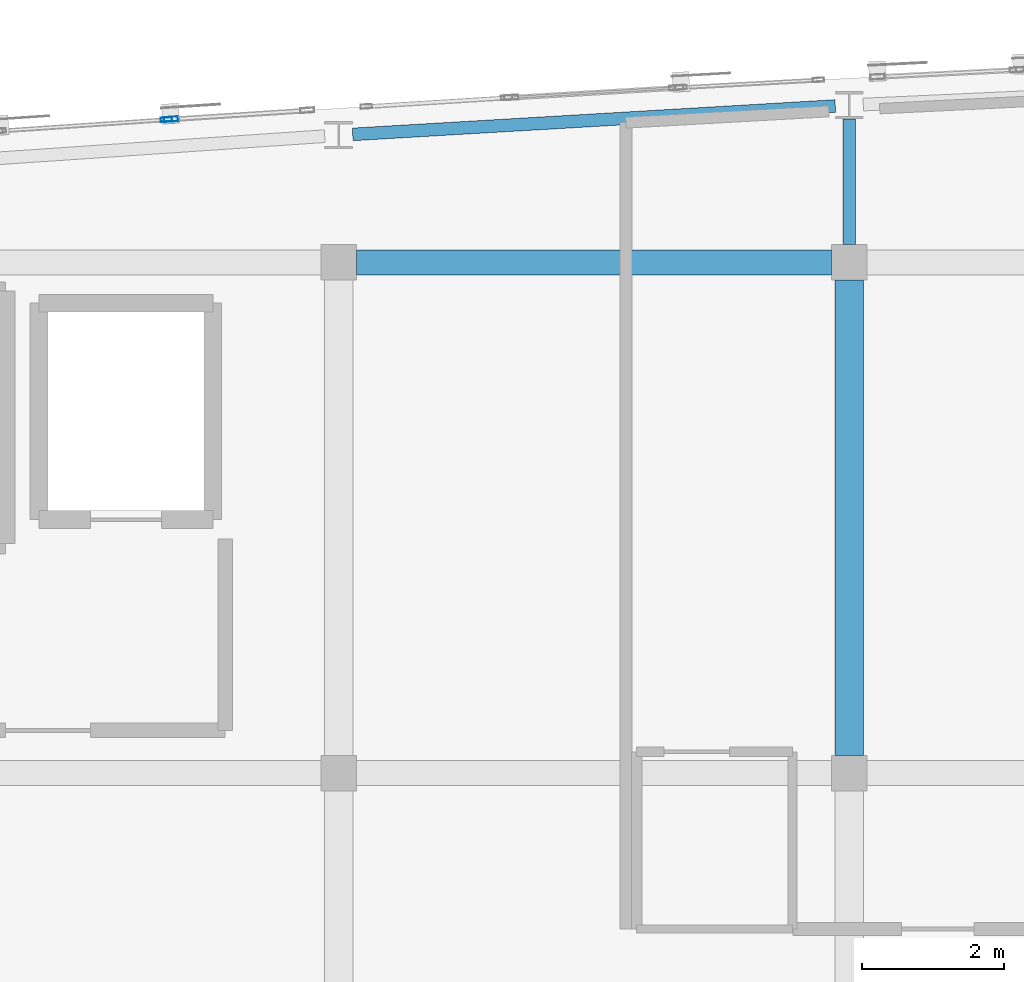
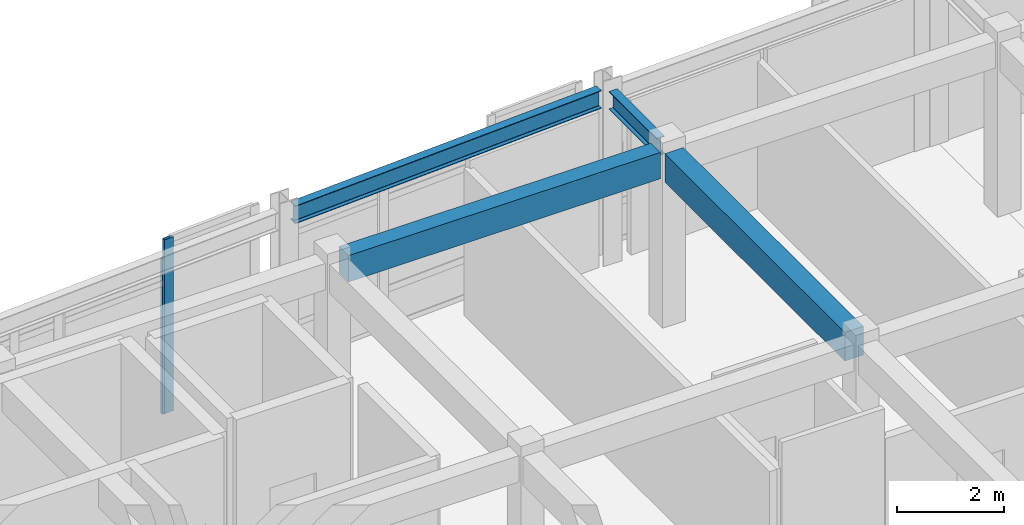
# One storey, part 7 of 24: 4 beams, 2 members, 2 elements without a shape of their own.
"""IFC4 building model written with IfcOpenShell, lengths in metres."""

from ifc_helpers import new_model, si_unit, direction, frame, origin, origin_2d, place, context, subcontext, project, spatial, rectangle, hollow_rectangle, i_section, extrude, material, layer, layer_set, material_profile, profile_set, type_object, element, aggregate, save


model = new_model("IFC4")

# Units and contexts
model_context = context("Model", 3, precision=1e-05, world=origin(), true_north=direction((0.0, 1.0)))
body_context = subcontext(model_context, "Body", "Model", "MODEL_VIEW")
ifc_project = project(units=[si_unit("LENGTHUNIT", "METRE"), si_unit("AREAUNIT", "SQUARE_METRE"), si_unit("VOLUMEUNIT", "CUBIC_METRE"), si_unit("PLANEANGLEUNIT", "RADIAN"), si_unit("MASSUNIT", "GRAM", prefix="KILO")], contexts=[model_context])

# Site, building, storey
site_placement = place(None, origin())
site = spatial("IfcSite", under=ifc_project, at=site_placement, CompositionType="ELEMENT")
building_placement = place(site_placement, origin())
building = spatial("IfcBuilding", under=site, at=building_placement, Name="Carrowvane Square Congress Hotel", CompositionType="ELEMENT")
storey_placement = place(building_placement, frame((0.0, 0.0, 44.39990234375)))
storey = spatial("IfcBuildingStorey", under=building, at=storey_placement, Name="L11", CompositionType="ELEMENT", Elevation=44.39990234375)

# Beams
ifc_material_1 = material(Name="Concrete C35/45", Category="concrete")
ifc_material_profile_1 = material_profile(ifc_material_1, rectangle(XDim=0.35009765625, YDim=0.60009765625, at=origin_2d()), Name="RC 350x600")
ifc_profile_set_1 = profile_set([ifc_material_profile_1], Name="Concrete C35/45")
beam_type_1 = type_object("IfcBeamType", Name="BM-RC-350x600", PredefinedType="BEAM", material=ifc_profile_set_1)
beam_1_placement = place(storey_placement, frame((69.449951171875, 113.39990234375, 3.650146484375), z_axis=(1.0, 0.0, 0.0), x_axis=(0.0, 1.0, 0.0)))
element("IfcBeam", 1, at=beam_1_placement, inside=storey, type_object=beam_type_1, Name="RF girder R/9-10", PredefinedType="BEAM", context=body_context, shape_type="SweptSolid", body=[
    extrude(rectangle(XDim=0.35009765625, YDim=0.60009765625, at=origin_2d()), origin(), (0.0, 0.0, 1.0), 6.699951171875),
])
ifc_material_2 = material(Name="Concrete C35/45", Category="concrete")
ifc_material_profile_2 = material_profile(ifc_material_2, rectangle(XDim=0.39990234375, YDim=0.64990234375, at=origin_2d()), Name="RC 400x650")
ifc_profile_set_2 = profile_set([ifc_material_profile_2], Name="Concrete C35/45")
beam_type_2 = type_object("IfcBeamType", Name="BM-RC-400x650", PredefinedType="BEAM", material=ifc_profile_set_2)
beam_2_placement = place(storey_placement, frame((76.39990234375, 106.449951171875, 3.625), z_axis=(0.0, 1.0, 0.0), x_axis=(-1.0, 0.0, 0.0)))
element("IfcBeam", 2, at=beam_2_placement, inside=storey, type_object=beam_type_2, Name="RF girder 10/Q-R", PredefinedType="BEAM", context=body_context, shape_type="SweptSolid", body=[
    extrude(rectangle(XDim=0.39990234375, YDim=0.64990234375, at=origin_2d()), origin(), (0.0, 0.0, 1.0), 6.699951171875),
])
ifc_material_3 = material(Name="Steel S355", Category="steel")
ifc_material_profile_3 = material_profile(ifc_material_3, i_section(OverallWidth=0.1787109375, OverallDepth=0.409423828125, WebThickness=0.0087890625, FlangeThickness=0.014404296875, FilletRadius=0.01025390625, at=origin_2d()), Name="UKB 406x178x67")
ifc_profile_set_3 = profile_set([ifc_material_profile_3], Name="Steel S355")
beam_type_3 = type_object("IfcBeamType", Name="BM-ST-UKB406", PredefinedType="BEAM", material=ifc_profile_set_3)
beam_3_placement = place(storey_placement, frame((69.39697265625, 115.205810546875, 3.745361328125), z_axis=(0.998276101502, 0.058692633008, 0.0), x_axis=(-0.058692633008, 0.998276101502, 0.0)))
element("IfcBeam", 3, at=beam_3_placement, inside=storey, type_object=beam_type_3, Name="RF curved north spandrel", PredefinedType="BEAM", context=body_context, shape_type="SweptSolid", body=[
    extrude(i_section(OverallWidth=0.1787109375, OverallDepth=0.409423828125, WebThickness=0.0087890625, FlangeThickness=0.014404296875, FilletRadius=0.01025390625, at=origin_2d()), origin(), (0.0, 0.0, 1.0), 6.817626953125),
])
beam_4_placement = place(storey_placement, frame((76.39990234375, 113.64990234375, 3.745361328125), z_axis=(0.0, 1.0, 0.0), x_axis=(-1.0, 0.0, 0.0)))
element("IfcBeam", 4, at=beam_4_placement, inside=storey, type_object=beam_type_3, Name="RF radial north beam 10", PredefinedType="BEAM", context=body_context, shape_type="SweptSolid", body=[
    extrude(i_section(OverallWidth=0.1787109375, OverallDepth=0.409423828125, WebThickness=0.0087890625, FlangeThickness=0.014404296875, FilletRadius=0.01025390625, at=origin_2d()), origin(), (0.0, 0.0, 1.0), 1.770263671875),
])

# Curtain wall, member
ifc_material_4 = material(Name="Anodised aluminium", Category="aluminium")
ifc_layer_1 = layer(ifc_material_4, 0.162109375)
ifc_layer_set_1 = layer_set([ifc_layer_1], Name="Anodised aluminium")
curtain_wall_type_1 = type_object("IfcCurtainWallType", Name="CW-SYS-1", PredefinedType="NOTDEFINED", material=ifc_layer_set_1)
curtain_wall_1_placement = place(storey_placement, origin())
curtain_wall_1 = element("IfcCurtainWall", 5, at=curtain_wall_1_placement, inside=storey, type_object=curtain_wall_type_1, Name="L11 unitised curtain wall 592", PredefinedType="NOTDEFINED")
ifc_material_5 = material(Name="Anodised aluminium", Category="aluminium")
ifc_material_profile_4 = material_profile(ifc_material_5, hollow_rectangle(XDim=0.06005859375, YDim=0.159912109375, WallThickness=0.00390625, at=origin_2d()), Name="CW-ML 60x160x4")
ifc_profile_set_4 = profile_set([ifc_material_profile_4], Name="Anodised aluminium")
member_type_1 = type_object("IfcMemberType", Name="CW-MUL-1", PredefinedType="MULLION", material=ifc_profile_set_4)
member_1_placement = place(storey_placement, frame((66.77001953125, 115.4150390625, 0.0), z_axis=(0.0, 0.0, 1.0), x_axis=(-0.067865424104, 0.997694484404, 0.0)))
member_1 = element("IfcMember", 6, at=member_1_placement, type_object=member_type_1, Name="CW-1 mullion 2", PredefinedType="MULLION", context=body_context, shape_type="SweptSolid", body=[
    extrude(hollow_rectangle(XDim=0.06005859375, YDim=0.159912109375, WallThickness=0.00390625, at=origin_2d()), origin(), (0.0, 0.0, 1.0), 3.525634765625),
])
aggregate(curtain_wall_1, [member_1])

ifc_material_6 = material(Name="Anodised aluminium", Category="aluminium")
ifc_layer_2 = layer(ifc_material_6, 0.174072265625)
ifc_layer_set_2 = layer_set([ifc_layer_2], Name="Anodised aluminium")
curtain_wall_type_2 = type_object("IfcCurtainWallType", Name="CW-SYS-2", PredefinedType="NOTDEFINED", material=ifc_layer_set_2)
curtain_wall_2_placement = place(storey_placement, origin())
curtain_wall_2 = element("IfcCurtainWall", 7, at=curtain_wall_2_placement, inside=storey, type_object=curtain_wall_type_2, Name="L11 unitised curtain wall 593", PredefinedType="NOTDEFINED")
ifc_material_7 = material(Name="Anodised aluminium", Category="aluminium")
ifc_material_profile_5 = material_profile(ifc_material_7, hollow_rectangle(XDim=0.070068359375, YDim=0.199951171875, WallThickness=0.0048828125, at=origin_2d()), Name="CW-ML 70x200x5")
ifc_profile_set_5 = profile_set([ifc_material_profile_5], Name="Anodised aluminium")
member_type_2 = type_object("IfcMemberType", Name="CW-MUL-2", PredefinedType="MULLION", material=ifc_profile_set_5)
member_2_placement = place(storey_placement, frame((66.8349609375, 115.419189453125, 0.0), z_axis=(0.0, 0.0, 1.0), x_axis=(-0.065412223074, 0.997858327155, 0.0)))
member_2 = element("IfcMember", 8, at=member_2_placement, type_object=member_type_2, Name="CW-2 mullion 1", PredefinedType="MULLION", context=body_context, shape_type="SweptSolid", body=[
    extrude(hollow_rectangle(XDim=0.070068359375, YDim=0.199951171875, WallThickness=0.0048828125, at=origin_2d()), origin(), (0.0, 0.0, 1.0), 3.9501953125),
])
aggregate(curtain_wall_2, [member_2])

save(model, "model.ifc")
